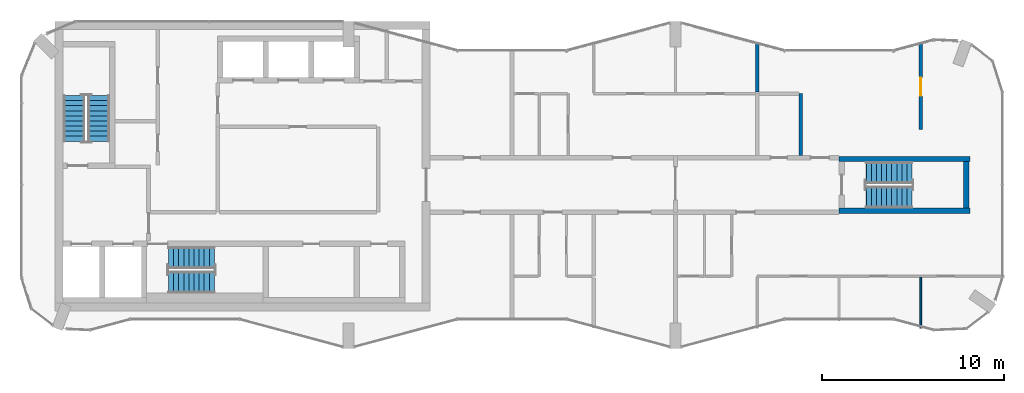
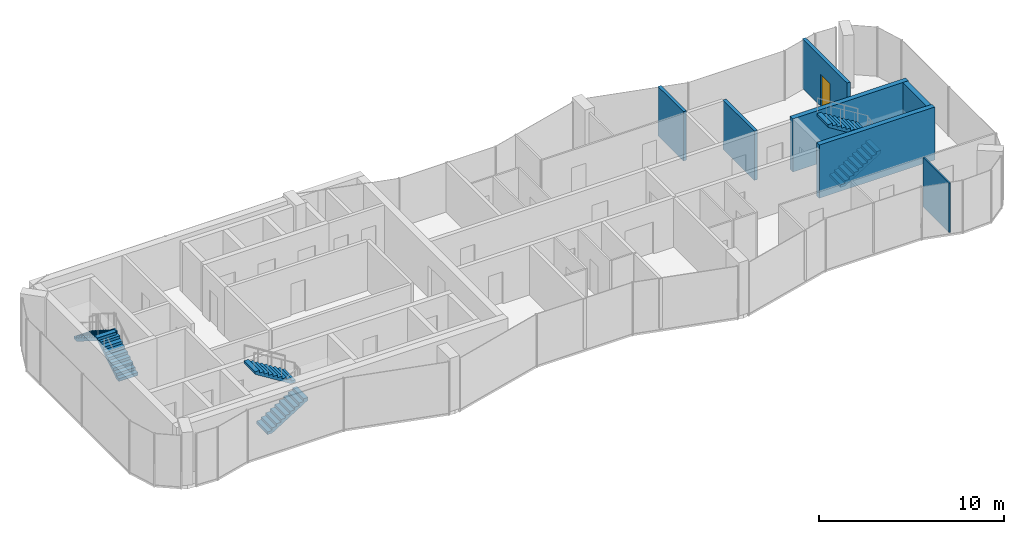
# One storey, part 9 of 10: 7 walls, 6 stair flights, 1 door, 1 opening, 3 elements without a shape of their own.
"""IFC4 building model written with IfcOpenShell, lengths in metres."""

from ifc_helpers import new_model, si_unit, direction, frame, frame_2d, origin, place, context, subcontext, project, spatial, polyline, rectangle, outline, extrude, material, layer, layer_set, type_object, element, fill, aggregate, save


model = new_model("IFC4")

# Units and contexts
model_context = context("Model", 3, precision=1e-05, world=origin(), true_north=direction((0.0, 1.0)))
body_context = subcontext(model_context, "Body", "Model", "MODEL_VIEW")
ifc_project = project(units=[si_unit("LENGTHUNIT", "METRE"), si_unit("AREAUNIT", "SQUARE_METRE"), si_unit("VOLUMEUNIT", "CUBIC_METRE"), si_unit("PLANEANGLEUNIT", "RADIAN"), si_unit("MASSUNIT", "GRAM", prefix="KILO")], contexts=[model_context])

# Site, building, storey
site_placement = place(None, origin())
site = spatial("IfcSite", under=ifc_project, at=site_placement, CompositionType="ELEMENT")
building_placement = place(site_placement, origin())
building = spatial("IfcBuilding", under=site, at=building_placement, Name="Plateau Cross Towers", CompositionType="ELEMENT")
storey_placement = place(building_placement, frame((0.0, 0.0, 273.89990234375)))
storey = spatial("IfcBuildingStorey", under=building, at=storey_placement, Name="L72", CompositionType="ELEMENT", Elevation=273.89990234375)

# Walls
ifc_material_1 = material(Name="Gypsum board on steel studs", Category="steel")
ifc_layer_1 = layer(ifc_material_1, 0.10009765625)
ifc_layer_set_1 = layer_set([ifc_layer_1], Name="Gypsum board on steel studs")
wall_type_1 = type_object("IfcWallType", Name="Flat partition 100", PredefinedType="PARTITIONING", material=ifc_layer_set_1)
wall_1_placement = place(storey_placement, frame((49.5, 1.122314453125, 0.0), z_axis=(0.0, 0.0, 1.0), x_axis=(0.0, 1.0, 0.0)))
element("IfcWall", 1, at=wall_1_placement, inside=storey, type_object=wall_type_1, Name="Partition wall", PredefinedType="PARTITIONING", context=body_context, shape_type="SweptSolid", body=[
    extrude(rectangle(XDim=2.802734375, YDim=0.10009765625, at=frame_2d((1.4013671875, 0.0))), origin(), (0.0, 0.0, 1.0), 3.25),
])
ifc_material_2 = material(Name="Gypsum board on steel studs, two layers each side", Category="steel")
ifc_layer_2 = layer(ifc_material_2, 0.199951171875)
ifc_layer_set_2 = layer_set([ifc_layer_2], Name="Gypsum board on steel studs, two layers each side")
wall_type_2 = type_object("IfcWallType", Name="Flat party wall 200", PredefinedType="PARTITIONING", material=ifc_layer_set_2)
wall_2_placement = place(storey_placement, frame((40.5, 14.125, 0.0), z_axis=(0.0, 0.0, 1.0), x_axis=(0.0, 1.0, 0.0)))
element("IfcWall", 2, at=wall_2_placement, inside=storey, type_object=wall_type_2, Name="Party wall", PredefinedType="PARTITIONING", context=body_context, shape_type="SweptSolid", body=[
    extrude(rectangle(XDim=2.752685546875, YDim=0.199951171875, at=frame_2d((1.37646484375, 0.0))), origin(), (0.0, 0.0, 1.0), 3.25),
])
wall_3_placement = place(storey_placement, frame((42.89990234375, 10.625, 0.0), z_axis=(0.0, 0.0, 1.0), x_axis=(0.0, 1.0, 0.0)))
element("IfcWall", 3, at=wall_3_placement, inside=storey, type_object=wall_type_2, Name="Party wall", PredefinedType="PARTITIONING", context=body_context, shape_type="SweptSolid", body=[
    extrude(rectangle(XDim=3.39990234375, YDim=0.199951171875, at=frame_2d((1.699951171875, 0.0))), origin(), (0.0, 0.0, 1.0), 3.25),
])

# Wall, opening, door
wall_4_placement = place(storey_placement, frame((49.5, 12.050048828125, 0.0), z_axis=(0.0, 0.0, 1.0), x_axis=(0.0, 1.0, 0.0)))
wall_4 = element("IfcWall", 4, at=wall_4_placement, inside=storey, type_object=wall_type_2, Name="Party wall", PredefinedType="PARTITIONING", context=body_context, shape_type="SweptSolid", body=[
    extrude(rectangle(XDim=4.82763671875, YDim=0.199951171875, at=frame_2d((2.413818359375, 0.0))), origin(), (0.0, 0.0, 1.0), 3.25),
])
opening_placement = place(wall_4_placement, frame((1.85009765625, 0.0, 0.0)))
opening = element("IfcOpeningElement", 5, at=opening_placement, cuts=wall_4, Name="Opening 72-10", PredefinedType="OPENING", context=body_context, shape_type="SweptSolid", body=[
    extrude(rectangle(XDim=1.0, YDim=2.10009765625, at=frame_2d((0.5, 1.050048828125))), frame((0.0, 0.10986328125, 0.0), z_axis=(0.0, -1.0, 0.0), x_axis=(1.0, 0.0, 0.0)), (0.0, 0.0, 1.0), 0.219970703125),
])
ifc_material_3 = material(Name="Timber, fire-resisting leaf", Category="wood")
door_type = type_object("IfcDoorType", Name="Flat entrance door 1000", OperationType="NOTDEFINED", PredefinedType="DOOR", material=ifc_material_3)
door_placement = place(opening_placement, origin())
door = element("IfcDoor", 6, at=door_placement, inside=storey, type_object=door_type, Name="Door 72-10", OperationType="SINGLE_SWING_LEFT", OverallHeight=2.10009765625, OverallWidth=1.0, PredefinedType="DOOR", context=body_context, shape_type="SweptSolid", body=[
    extrude(rectangle(XDim=1.0, YDim=2.10009765625, at=frame_2d((0.5, 1.050048828125))), frame((0.0, 0.02490234375, 0.0), z_axis=(0.0, -1.0, 0.0), x_axis=(1.0, 0.0, 0.0)), (0.0, 0.0, 1.0), 0.050048828125),
])
fill(opening, door)

# Walls
ifc_material_4 = material(Name="Concrete C60/75", Category="concrete")
ifc_layer_3 = layer(ifc_material_4, 0.300048828125)
ifc_layer_set_3 = layer_set([ifc_layer_3], Name="Concrete C60/75")
wall_type_3 = type_object("IfcWallType", Name="Stair tower wall 300", PredefinedType="SHEAR", material=ifc_layer_set_3)
wall_5_placement = place(storey_placement, frame((52.0, 7.72509765625, 0.0), z_axis=(0.0, 0.0, 1.0), x_axis=(0.0, 1.0, 0.0)))
element("IfcWall", 7, at=wall_5_placement, inside=storey, type_object=wall_type_3, Name="A-end-E-E@L72", PredefinedType="SHEAR", context=body_context, shape_type="SweptSolid", body=[
    extrude(rectangle(XDim=2.5498046875, YDim=0.300048828125, at=frame_2d((1.27490234375, 0.0))), origin(), (0.0, 0.0, 1.0), 3.5),
])
for number, where, z_axis, x_axis, name in (
    (8, (45.0, 7.574951171875, 0.0), (0.0, 0.0, 1.0), (1.0, 0.0, 0.0), "A-end-E-S@L72"),
    (9, (45.0, 10.425048828125, 0.0), (0.0, 0.0, 1.0), (1.0, 0.0, 0.0), "A-end-E-N@L72"),
):
    element("IfcWall", number, at=place(storey_placement, frame(where, z_axis=z_axis, x_axis=x_axis)), inside=storey, type_object=wall_type_3, Name=name, PredefinedType="SHEAR", context=body_context, shape_type="SweptSolid", body=[
        extrude(rectangle(XDim=7.199951171875, YDim=0.300048828125, at=frame_2d((3.60009765625, 0.0))), origin(), (0.0, 0.0, 1.0), 3.5),
    ])

# Stair, stair flights
ifc_material_5 = material(Name="Concrete C40/50", Category="concrete")
stair_type = type_object("IfcStairType", Name="ST-TWR", PredefinedType="HALF_TURN_STAIR", material=ifc_material_5)
stair_1_placement = place(storey_placement, origin())
stair_1 = element("IfcStair", 10, at=stair_1_placement, inside=storey, type_object=stair_type, Name="L72 Protected Exit Stair ST-1", PredefinedType="HALF_TURN_STAIR")
stair_flight_type = type_object("IfcStairFlightType", Name="SFL-RC", PredefinedType="STRAIGHT", material=ifc_material_5)
stair_flight_1_placement = place(storey_placement, frame((4.25, 11.39990234375, 0.0), z_axis=(0.0, 0.0, 1.0), x_axis=(0.0, 1.0, 0.0)))
stair_flight_1 = element("IfcStairFlight", 11, at=stair_flight_1_placement, type_object=stair_flight_type, Name="ST-1 flight 1", NumberOfRisers=10, NumberOfTreads=9, PredefinedType="STRAIGHT", RiserHeight=0.175, TreadLength=0.28, context=body_context, shape_type="SweptSolid", body=[
    extrude(outline(polyline([(-0.0048828125, -0.010009765625), (-0.0048828125, 0.0), (0.0, 0.0), (0.0, 0.175048828125), (0.280029296875, 0.175048828125), (0.280029296875, 0.35009765625), (0.56005859375, 0.35009765625), (0.56005859375, 0.52490234375), (0.840087890625, 0.52490234375), (0.840087890625, 0.699951171875), (1.1201171875, 0.699951171875), (1.1201171875, 0.875), (1.39990234375, 0.875), (1.39990234375, 1.050048828125), (1.679931640625, 1.050048828125), (1.679931640625, 1.22509765625), (1.9599609375, 1.22509765625), (1.9599609375, 1.39990234375), (2.239990234375, 1.39990234375), (2.239990234375, 1.574951171875), (2.52001953125, 1.574951171875), (2.52490234375, 1.56494140625), (2.52490234375, 1.398193359375), (2.52001953125, 1.398193359375), (0.28271484375, 0.0), (0.02001953125, 0.0), (0.02001953125, -0.010009765625), (-0.0048828125, -0.010009765625)])), frame((0.0, 0.60009765625, 0.0), z_axis=(0.0, -1.0, 0.0), x_axis=(1.0, 0.0, 0.0)), (0.0, 0.0, 1.0), 1.199951171875),
])
stair_flight_2_placement = place(storey_placement, frame((2.89990234375, 13.919921875, 1.75), z_axis=(0.0, 0.0, 1.0), x_axis=(0.0, -1.0, 0.0)))
stair_flight_2 = element("IfcStairFlight", 12, at=stair_flight_2_placement, type_object=stair_flight_type, Name="ST-1 flight 2", NumberOfRisers=10, NumberOfTreads=9, PredefinedType="STRAIGHT", RiserHeight=0.175, TreadLength=0.28, context=body_context, shape_type="SweptSolid", body=[
    extrude(outline(polyline([(-0.0048828125, -0.010009765625), (-0.0048828125, 0.0), (0.0, 0.0), (0.0, 0.175048828125), (0.280029296875, 0.175048828125), (0.280029296875, 0.35009765625), (0.56005859375, 0.35009765625), (0.56005859375, 0.52490234375), (0.840087890625, 0.52490234375), (0.840087890625, 0.699951171875), (1.1201171875, 0.699951171875), (1.1201171875, 0.875), (1.39990234375, 0.875), (1.39990234375, 1.050048828125), (1.679931640625, 1.050048828125), (1.679931640625, 1.22509765625), (1.9599609375, 1.22509765625), (1.9599609375, 1.39990234375), (2.239990234375, 1.39990234375), (2.239990234375, 1.574951171875), (2.52001953125, 1.574951171875), (2.52490234375, 1.56494140625), (2.52490234375, 1.398193359375), (2.52001953125, 1.398193359375), (0.28271484375, 0.0), (0.02001953125, 0.0), (0.02001953125, -0.010009765625), (-0.0048828125, -0.010009765625)])), frame((0.0, 0.60009765625, 0.0), z_axis=(0.0, -1.0, 0.0), x_axis=(1.0, 0.0, 0.0)), (0.0, 0.0, 1.0), 1.199951171875),
])
aggregate(stair_1, [stair_flight_1, stair_flight_2])

stair_2_placement = place(storey_placement, origin())
stair_2 = element("IfcStair", 13, at=stair_2_placement, inside=storey, type_object=stair_type, Name="L72 Protected Exit Stair ST-2", PredefinedType="HALF_TURN_STAIR")
stair_flight_3_placement = place(storey_placement, frame((8.10009765625, 3.64990234375, 0.0), z_axis=(0.0, 0.0, 1.0), x_axis=(1.0, 0.0, 0.0)))
stair_flight_3 = element("IfcStairFlight", 14, at=stair_flight_3_placement, type_object=stair_flight_type, Name="ST-2 flight 1", NumberOfRisers=10, NumberOfTreads=9, PredefinedType="STRAIGHT", RiserHeight=0.175, TreadLength=0.28, context=body_context, shape_type="SweptSolid", body=[
    extrude(outline(polyline([(-0.0048828125, -0.010009765625), (-0.0048828125, 0.0), (0.0, 0.0), (0.0, 0.175048828125), (0.280029296875, 0.175048828125), (0.280029296875, 0.35009765625), (0.56005859375, 0.35009765625), (0.56005859375, 0.52490234375), (0.840087890625, 0.52490234375), (0.840087890625, 0.699951171875), (1.1201171875, 0.699951171875), (1.1201171875, 0.875), (1.39990234375, 0.875), (1.39990234375, 1.050048828125), (1.679931640625, 1.050048828125), (1.679931640625, 1.22509765625), (1.9599609375, 1.22509765625), (1.9599609375, 1.39990234375), (2.239990234375, 1.39990234375), (2.239990234375, 1.574951171875), (2.52001953125, 1.574951171875), (2.52490234375, 1.56494140625), (2.52490234375, 1.398193359375), (2.52001953125, 1.398193359375), (0.28271484375, 0.0), (0.02001953125, 0.0), (0.02001953125, -0.010009765625), (-0.0048828125, -0.010009765625)])), frame((0.0, 0.60009765625, 0.0), z_axis=(0.0, -1.0, 0.0), x_axis=(1.0, 0.0, 0.0)), (0.0, 0.0, 1.0), 1.199951171875),
])
stair_flight_4_placement = place(storey_placement, frame((10.6201171875, 5.0, 1.75), z_axis=(0.0, 0.0, 1.0), x_axis=(-1.0, 0.0, 0.0)))
stair_flight_4 = element("IfcStairFlight", 15, at=stair_flight_4_placement, type_object=stair_flight_type, Name="ST-2 flight 2", NumberOfRisers=10, NumberOfTreads=9, PredefinedType="STRAIGHT", RiserHeight=0.175, TreadLength=0.28, context=body_context, shape_type="SweptSolid", body=[
    extrude(outline(polyline([(-0.0048828125, -0.010009765625), (-0.0048828125, 0.0), (0.0, 0.0), (0.0, 0.175048828125), (0.280029296875, 0.175048828125), (0.280029296875, 0.35009765625), (0.56005859375, 0.35009765625), (0.56005859375, 0.52490234375), (0.840087890625, 0.52490234375), (0.840087890625, 0.699951171875), (1.1201171875, 0.699951171875), (1.1201171875, 0.875), (1.39990234375, 0.875), (1.39990234375, 1.050048828125), (1.679931640625, 1.050048828125), (1.679931640625, 1.22509765625), (1.9599609375, 1.22509765625), (1.9599609375, 1.39990234375), (2.239990234375, 1.39990234375), (2.239990234375, 1.574951171875), (2.52001953125, 1.574951171875), (2.52490234375, 1.56494140625), (2.52490234375, 1.398193359375), (2.52001953125, 1.398193359375), (0.28271484375, 0.0), (0.02001953125, 0.0), (0.02001953125, -0.010009765625), (-0.0048828125, -0.010009765625)])), frame((0.0, 0.60009765625, 0.0), z_axis=(0.0, -1.0, 0.0), x_axis=(1.0, 0.0, 0.0)), (0.0, 0.0, 1.0), 1.199951171875),
])
aggregate(stair_2, [stair_flight_3, stair_flight_4])

stair_3_placement = place(storey_placement, origin())
stair_3 = element("IfcStair", 16, at=stair_3_placement, inside=storey, type_object=stair_type, Name="L72 Protected Exit Stair E", PredefinedType="HALF_TURN_STAIR")
stair_flight_5_placement = place(storey_placement, frame((46.5, 8.324951171875, 0.0), z_axis=(0.0, 0.0, 1.0), x_axis=(1.0, 0.0, 0.0)))
stair_flight_5 = element("IfcStairFlight", 17, at=stair_flight_5_placement, type_object=stair_flight_type, Name="ES-E flight 1", NumberOfRisers=10, NumberOfTreads=9, PredefinedType="STRAIGHT", RiserHeight=0.175, TreadLength=0.28, context=body_context, shape_type="SweptSolid", body=[
    extrude(outline(polyline([(-0.0048828125, -0.010009765625), (-0.0048828125, 0.0), (0.0, 0.0), (0.0, 0.175048828125), (0.280029296875, 0.175048828125), (0.280029296875, 0.35009765625), (0.56005859375, 0.35009765625), (0.56005859375, 0.52490234375), (0.840087890625, 0.52490234375), (0.840087890625, 0.699951171875), (1.1201171875, 0.699951171875), (1.1201171875, 0.875), (1.39990234375, 0.875), (1.39990234375, 1.050048828125), (1.679931640625, 1.050048828125), (1.679931640625, 1.22509765625), (1.9599609375, 1.22509765625), (1.9599609375, 1.39990234375), (2.239990234375, 1.39990234375), (2.239990234375, 1.574951171875), (2.52001953125, 1.574951171875), (2.52490234375, 1.56494140625), (2.52490234375, 1.398193359375), (2.52001953125, 1.398193359375), (0.28271484375, 0.0), (0.02001953125, 0.0), (0.02001953125, -0.010009765625), (-0.0048828125, -0.010009765625)])), frame((0.0, 0.60009765625, 0.0), z_axis=(0.0, -1.0, 0.0), x_axis=(1.0, 0.0, 0.0)), (0.0, 0.0, 1.0), 1.199951171875),
])
stair_flight_6_placement = place(storey_placement, frame((49.02001953125, 9.675048828125, 1.75), z_axis=(0.0, 0.0, 1.0), x_axis=(-1.0, 0.0, 0.0)))
stair_flight_6 = element("IfcStairFlight", 18, at=stair_flight_6_placement, type_object=stair_flight_type, Name="ES-E flight 2", NumberOfRisers=10, NumberOfTreads=9, PredefinedType="STRAIGHT", RiserHeight=0.175, TreadLength=0.28, context=body_context, shape_type="SweptSolid", body=[
    extrude(outline(polyline([(-0.0048828125, -0.010009765625), (-0.0048828125, 0.0), (0.0, 0.0), (0.0, 0.175048828125), (0.280029296875, 0.175048828125), (0.280029296875, 0.35009765625), (0.56005859375, 0.35009765625), (0.56005859375, 0.52490234375), (0.840087890625, 0.52490234375), (0.840087890625, 0.699951171875), (1.1201171875, 0.699951171875), (1.1201171875, 0.875), (1.39990234375, 0.875), (1.39990234375, 1.050048828125), (1.679931640625, 1.050048828125), (1.679931640625, 1.22509765625), (1.9599609375, 1.22509765625), (1.9599609375, 1.39990234375), (2.239990234375, 1.39990234375), (2.239990234375, 1.574951171875), (2.52001953125, 1.574951171875), (2.52490234375, 1.56494140625), (2.52490234375, 1.398193359375), (2.52001953125, 1.398193359375), (0.28271484375, 0.0), (0.02001953125, 0.0), (0.02001953125, -0.010009765625), (-0.0048828125, -0.010009765625)])), frame((0.0, 0.60009765625, 0.0), z_axis=(0.0, -1.0, 0.0), x_axis=(1.0, 0.0, 0.0)), (0.0, 0.0, 1.0), 1.199951171875),
])
aggregate(stair_3, [stair_flight_5, stair_flight_6])

save(model, "model.ifc")
